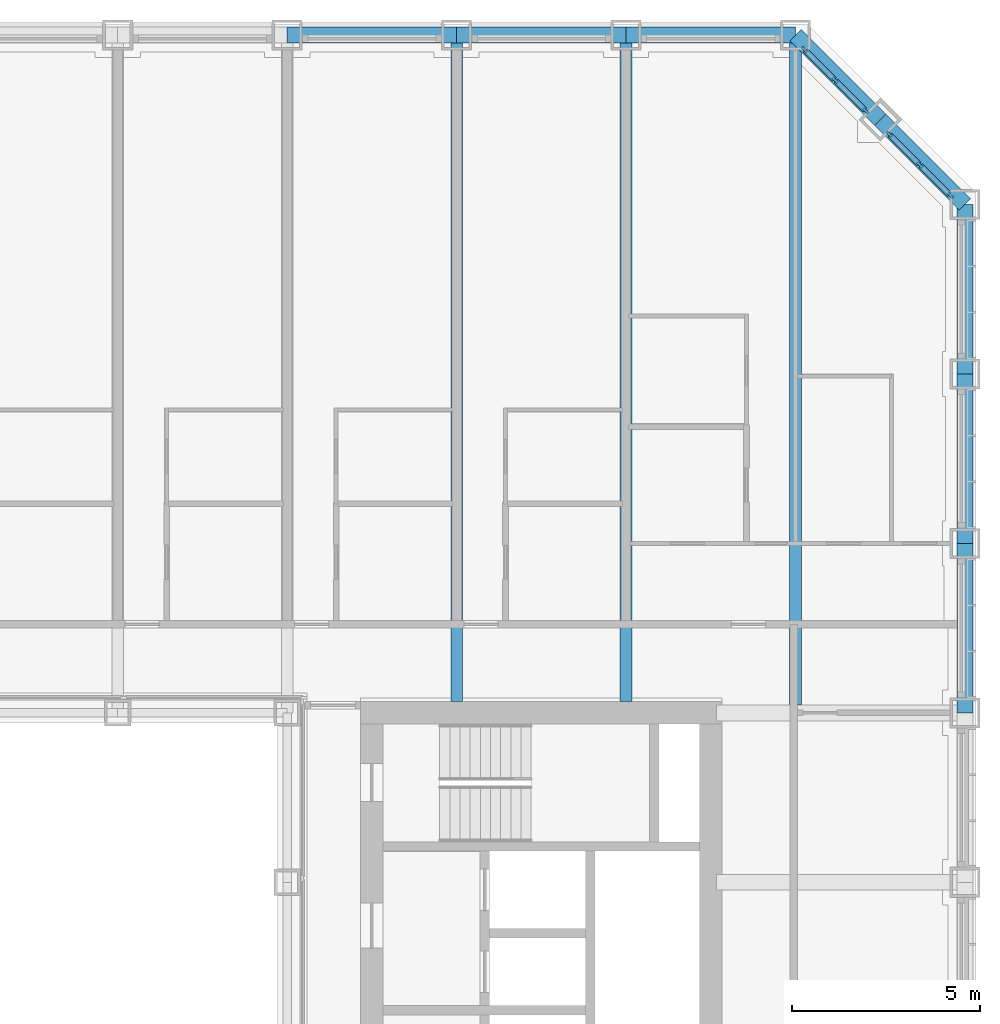
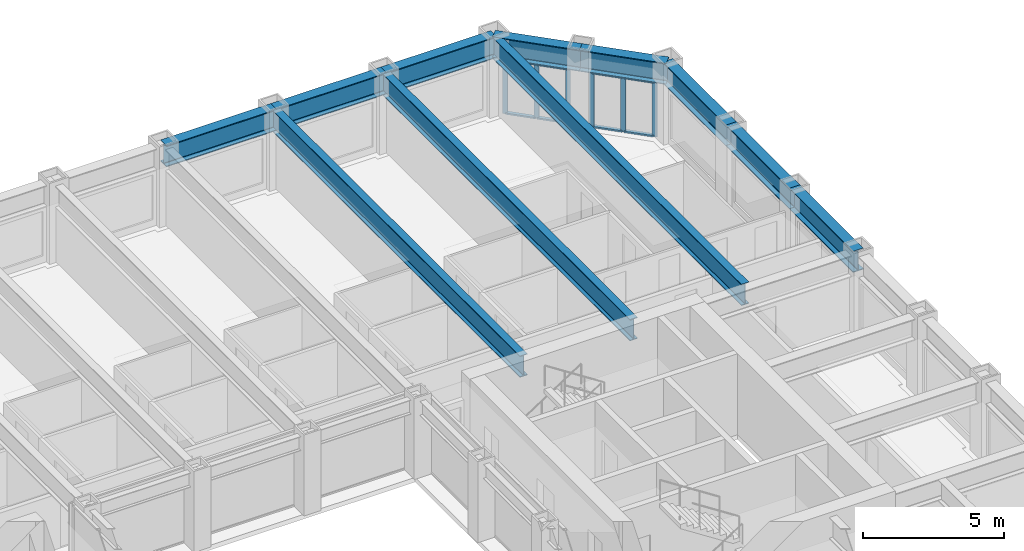
# One storey, part 7 of 21: 14 members, 11 beams, 2 elements without a shape of their own.
"""IFC4 building model written with IfcOpenShell, lengths in metres."""

import ifcopenshell
import ifcopenshell.guid

model = None  # the IFC model being written
_history = None  # IfcOwnerHistory: only IFC2X3 demands one
_inside = {}  # id of a spatial element -> (the spatial element, [elements in it])
_under = {}  # id of a project, library or spatial element -> (it, [spatial elements below it])
_declared = {}  # id of a project -> (the project, [libraries it declares])
_typed = {}  # id of a type object -> (the type object, [elements of that type])
_made_of = {}  # id of a material, layer set ... -> (it, [elements and type objects made of it])


def new_model(schema):
    """Start an empty IFC model of exactly this schema.

    Asked for "IFC4X3", IfcOpenShell would pick the latest addendum, in which some entities
    have other attributes; the version numbers below select the first issue.
    IFC2X3 requires an IfcOwnerHistory on every rooted entity: one is made here for all.
    """
    global model, _history
    if schema == "IFC4X3":
        model = ifcopenshell.file(schema_version=(4, 3, 0, 0))
    else:
        model = ifcopenshell.file(schema=schema)
    _inside.clear()
    _under.clear()
    _declared.clear()
    _typed.clear()
    _made_of.clear()
    _history = None
    if model.schema == "IFC2X3":
        org = make("IfcOrganization", Name="unknown")
        user = make(
            "IfcPersonAndOrganization",
            ThePerson=make("IfcPerson", FamilyName="unknown"),
            TheOrganization=org,
        )
        app = make(
            "IfcApplication",
            ApplicationDeveloper=org,
            Version="unknown",
            ApplicationFullName="unknown",
            ApplicationIdentifier="unknown",
        )
        _history = make(
            "IfcOwnerHistory",
            OwningUser=user,
            OwningApplication=app,
            ChangeAction="ADDED",
            CreationDate=0,
        )
    return model


def make(cls, **values):
    """One entity of the class cls with the attributes given. An attribute that is None is left unset."""
    return model.create_entity(
        cls, **{name: value for name, value in values.items() if value is not None}
    )


def rooted(cls, **values):
    """An entity with a GlobalId (a new one), such as an element, a storey or a relation."""
    return make(cls, GlobalId=ifcopenshell.guid.new(), OwnerHistory=_history, **values)


def si_unit(unit_type, name, prefix=None):
    """IfcSIUnit, for example si_unit("LENGTHUNIT", "METRE", prefix="MILLI")."""
    return make("IfcSIUnit", UnitType=unit_type, Prefix=prefix, Name=name)


def assignment(units):
    """IfcUnitAssignment: the units of a project."""
    return None if units is None else make("IfcUnitAssignment", Units=units)


def point(xyz):
    """IfcCartesianPoint."""
    return None if xyz is None else make("IfcCartesianPoint", Coordinates=xyz)


def direction(xyz):
    """IfcDirection."""
    return None if xyz is None else make("IfcDirection", DirectionRatios=xyz)


def frame(location, z_axis=None, x_axis=None):
    """IfcAxis2Placement3D, a coordinate frame: its origin and axes. An axis left out is left unset."""
    return make(
        "IfcAxis2Placement3D",
        Location=point(location),
        Axis=direction(z_axis),
        RefDirection=direction(x_axis),
    )


def frame_2d(location, x_axis=None):
    """IfcAxis2Placement2D, a coordinate frame in the plane: its origin and x axis."""
    return make(
        "IfcAxis2Placement2D", Location=point(location), RefDirection=direction(x_axis)
    )


def origin():
    """The frame at (0, 0, 0) with its axes left unset."""
    return frame((0.0, 0.0, 0.0))


def origin_2d():
    """The frame at (0, 0) in the plane with its x axis left unset."""
    return frame_2d((0.0, 0.0))


def place(relative_to, where):
    """IfcLocalPlacement: puts the frame where relative to a parent placement (None: the world)."""
    return make(
        "IfcLocalPlacement", PlacementRelTo=relative_to, RelativePlacement=where
    )


def context(
    kind, dimensions, precision=None, world=None, true_north=None, identifier=None
):
    """IfcGeometricRepresentationContext, for example the 3D "Model" context."""
    return make(
        "IfcGeometricRepresentationContext",
        ContextIdentifier=identifier,
        ContextType=kind,
        CoordinateSpaceDimension=dimensions,
        Precision=precision,
        WorldCoordinateSystem=world,
        TrueNorth=true_north,
    )


def subcontext(parent, identifier, kind, view, scale=None):
    """IfcGeometricRepresentationSubContext, for example "Body" below "Model"."""
    return make(
        "IfcGeometricRepresentationSubContext",
        ContextIdentifier=identifier,
        ContextType=kind,
        ParentContext=parent,
        TargetScale=scale,
        TargetView=view,
    )


def project(units=None, contexts=None):
    """IfcProject with its units and contexts."""
    return rooted(
        "IfcProject",
        Name="project",
        RepresentationContexts=contexts,
        UnitsInContext=assignment(units),
    )


def spatial(cls, under=None, at=None, **own):
    """A site, building, storey or space (cls), placed at a placement, below another one or the project."""
    s = rooted(cls, ObjectPlacement=at, **own)
    if under is not None:
        _under.setdefault(under.id(), (under, []))[1].append(s)
    return s


def profile(cls, at=None, kind="AREA", **sizes):
    """A parametric profile (cls). Its sizes go by their IFC names, for example OverallWidth=200.0."""
    return make(cls, ProfileType=kind, Position=at, **sizes)


def rectangle(**sizes):
    """IfcRectangleProfileDef."""
    return profile("IfcRectangleProfileDef", **sizes)


def i_section(**sizes):
    """IfcIShapeProfileDef."""
    return profile("IfcIShapeProfileDef", **sizes)


def extrude(swept, where, along, depth):
    """IfcExtrudedAreaSolid: the profile swept, set in the frame where, extruded along a direction by depth."""
    return make(
        "IfcExtrudedAreaSolid",
        SweptArea=swept,
        Position=where,
        ExtrudedDirection=direction(along),
        Depth=depth,
    )


def shape(context_of_items, identifier, shape_type, items):
    """IfcShapeRepresentation: the items that make up one representation, for example the "Body"."""
    return make(
        "IfcShapeRepresentation",
        ContextOfItems=context_of_items,
        RepresentationIdentifier=identifier,
        RepresentationType=shape_type,
        Items=items,
    )


def material(Name=None, Category=None):
    """IfcMaterial."""
    return make("IfcMaterial", Name=Name, Category=Category)


def material_profile(
    of_material, cross_section, Name=None, Category=None, Priority=None
):
    """IfcMaterialProfile: a cross section and its material."""
    return make(
        "IfcMaterialProfile",
        Name=Name,
        Material=of_material,
        Profile=cross_section,
        Priority=Priority,
        Category=Category,
    )


def profile_set(profiles, Name=None, composite=None):
    """IfcMaterialProfileSet."""
    return make(
        "IfcMaterialProfileSet",
        Name=Name,
        MaterialProfiles=profiles,
        CompositeProfile=composite,
    )


def made_of(thing, what):
    """Note that an element or type object is made of a material, layer set ...; save() writes the relation."""
    if what is not None:
        _made_of.setdefault(what.id(), (what, []))[1].append(thing)
    return thing


def type_object(cls, material=None, **own):
    """A type object (cls), such as IfcWallType, which elements share."""
    return made_of(rooted(cls, **own), material)


def element(
    cls,
    number,
    at=None,
    inside=None,
    cuts=None,
    type_object=None,
    material=None,
    context=None,
    identifier="Body",
    shape_type=None,
    held_by="IfcProductDefinitionShape",
    body=None,
    shapes=None,
    **own,
):
    """One element of the class cls, such as IfcWall. Its Tag is "e" and its number.

    at: its placement. inside: the storey or other place that contains it. cuts: it is an
    opening in that element (IfcRelVoidsElement). A single representation is given by context,
    identifier, shape_type and body (its items); several are given by shapes. held_by: the class
    of the entity that holds the representations. save() writes the other relations.
    """
    e = rooted(cls, Tag="e%d" % number, ObjectPlacement=at, **own)
    if body is not None:
        shapes = [shape(context, identifier, shape_type, body)]
    if shapes is not None:
        e.Representation = make(held_by, Representations=shapes)
    if inside is not None:
        _inside.setdefault(inside.id(), (inside, []))[1].append(e)
    if cuts is not None:
        rooted(
            "IfcRelVoidsElement", RelatingBuildingElement=cuts, RelatedOpeningElement=e
        )
    if type_object is not None:
        _typed.setdefault(type_object.id(), (type_object, []))[1].append(e)
    return made_of(e, material)


def aggregate(whole, parts):
    """IfcRelAggregates: a whole, such as a stair, and the parts it consists of."""
    return rooted("IfcRelAggregates", RelatingObject=whole, RelatedObjects=parts)


def save(model, path):
    """Write the relations noted so far, then the file.

    IfcRelAggregates (storeys below a building ...), IfcRelContainedInSpatialStructure (elements
    in a storey), IfcRelDefinesByType, IfcRelAssociatesMaterial and IfcRelDeclares: one each for
    every whole, place, type object, material and project.
    """
    for whole, parts in _under.values():
        aggregate(whole, parts)
    for where, things in _inside.values():
        rooted(
            "IfcRelContainedInSpatialStructure",
            RelatedElements=things,
            RelatingStructure=where,
        )
    for kind, things in _typed.values():
        rooted("IfcRelDefinesByType", RelatedObjects=things, RelatingType=kind)
    for what, things in _made_of.values():
        rooted("IfcRelAssociatesMaterial", RelatedObjects=things, RelatingMaterial=what)
    for by, libraries in _declared.values():
        rooted("IfcRelDeclares", RelatingContext=by, RelatedDefinitions=libraries)
    model.write(path)


model = new_model("IFC4")

# Units and contexts
model_context = context("Model", 3, precision=1e-05, world=origin(), true_north=direction((0.0, 1.0)))
body_context = subcontext(model_context, "Body", "Model", "MODEL_VIEW")
ifc_project = project(units=[si_unit("LENGTHUNIT", "METRE"), si_unit("AREAUNIT", "SQUARE_METRE"), si_unit("VOLUMEUNIT", "CUBIC_METRE"), si_unit("PLANEANGLEUNIT", "RADIAN"), si_unit("MASSUNIT", "GRAM", prefix="KILO")], contexts=[model_context])

# Site, building, storey
site_placement = place(None, origin())
site = spatial("IfcSite", under=ifc_project, at=site_placement, CompositionType="ELEMENT")
building_placement = place(site_placement, origin())
building = spatial("IfcBuilding", under=site, at=building_placement, Name="Msasa Ring Tower", CompositionType="ELEMENT")
storey_placement = place(building_placement, frame((0.0, 0.0, 33.5)))
storey = spatial("IfcBuildingStorey", under=building, at=storey_placement, Name="L07", CompositionType="ELEMENT", Elevation=33.5)

# Curtain wall, members
ifc_material_1 = material(Name="Aluminium curtain wall with clear glass", Category="aluminium")
curtain_wall_type = type_object("IfcCurtainWallType", Name="CW-C CHAMFER CORNER CURTAIN WALL", PredefinedType="NOTDEFINED", material=ifc_material_1)
curtain_wall_1_placement = place(storey_placement, origin())
curtain_wall_1 = element("IfcCurtainWall", 1, at=curtain_wall_1_placement, inside=storey, type_object=curtain_wall_type, Name="Chamfer corner curtain wall NE L07", PredefinedType="NOTDEFINED")
ifc_material_2 = material(Name="Aluminium mullion", Category="aluminium")
ifc_material_profile_1 = material_profile(ifc_material_2, rectangle(XDim=0.06494140625, YDim=0.179931640625, at=origin_2d()), Name="AL 65x180")
ifc_profile_set_1 = profile_set([ifc_material_profile_1], Name="Aluminium mullion")
member_type_1 = type_object("IfcMemberType", Name="CW-C MULLION 65x180", PredefinedType="MULLION", material=ifc_profile_set_1)
member_1_placement = place(storey_placement, frame((22.119873046875, 22.73876953125, 0.0), z_axis=(0.0, 0.0, 1.0), x_axis=(-0.707106781187, -0.707106781187, 0.0)))
member_1 = element("IfcMember", 2, at=member_1_placement, type_object=member_type_1, Name="CW-C mullion 1", PredefinedType="MULLION", context=body_context, shape_type="SweptSolid", body=[
    extrude(rectangle(XDim=0.06494140625, YDim=0.179931640625, at=origin_2d()), origin(), (0.0, 0.0, 1.0), 2.37890625),
])
member_2_placement = place(storey_placement, frame((21.30419921875, 23.55419921875, 0.0), z_axis=(0.0, 0.0, 1.0), x_axis=(-0.707106781187, -0.707106781187, 0.0)))
member_2 = element("IfcMember", 3, at=member_2_placement, type_object=member_type_1, Name="CW-C mullion 2", PredefinedType="MULLION", context=body_context, shape_type="SweptSolid", body=[
    extrude(rectangle(XDim=0.06494140625, YDim=0.179931640625, at=origin_2d()), origin(), (0.0, 0.0, 1.0), 2.37890625),
])
member_3_placement = place(storey_placement, frame((20.48876953125, 24.369873046875, 0.0), z_axis=(0.0, 0.0, 1.0), x_axis=(-0.707106781187, -0.707106781187, 0.0)))
member_3 = element("IfcMember", 4, at=member_3_placement, type_object=member_type_1, Name="CW-C mullion 3", PredefinedType="MULLION", context=body_context, shape_type="SweptSolid", body=[
    extrude(rectangle(XDim=0.06494140625, YDim=0.179931640625, at=origin_2d()), origin(), (0.0, 0.0, 1.0), 2.37890625),
])

curtain_wall_2_placement = place(storey_placement, origin())
curtain_wall_2 = element("IfcCurtainWall", 5, at=curtain_wall_2_placement, inside=storey, type_object=curtain_wall_type, Name="Chamfer corner curtain wall NE L07", PredefinedType="NOTDEFINED")
member_4_placement = place(storey_placement, frame((24.369873046875, 20.48876953125, 0.0), z_axis=(0.0, 0.0, 1.0), x_axis=(-0.707106781187, -0.707106781187, 0.0)))
member_4 = element("IfcMember", 6, at=member_4_placement, type_object=member_type_1, Name="CW-C mullion 1", PredefinedType="MULLION", context=body_context, shape_type="SweptSolid", body=[
    extrude(rectangle(XDim=0.06494140625, YDim=0.179931640625, at=origin_2d()), origin(), (0.0, 0.0, 1.0), 2.37890625),
])
member_5_placement = place(storey_placement, frame((23.55419921875, 21.30419921875, 0.0), z_axis=(0.0, 0.0, 1.0), x_axis=(-0.707106781187, -0.707106781187, 0.0)))
member_5 = element("IfcMember", 7, at=member_5_placement, type_object=member_type_1, Name="CW-C mullion 2", PredefinedType="MULLION", context=body_context, shape_type="SweptSolid", body=[
    extrude(rectangle(XDim=0.06494140625, YDim=0.179931640625, at=origin_2d()), origin(), (0.0, 0.0, 1.0), 2.37890625),
])
member_6_placement = place(storey_placement, frame((22.73876953125, 22.119873046875, 0.0), z_axis=(0.0, 0.0, 1.0), x_axis=(-0.707106781187, -0.707106781187, 0.0)))
member_6 = element("IfcMember", 8, at=member_6_placement, type_object=member_type_1, Name="CW-C mullion 3", PredefinedType="MULLION", context=body_context, shape_type="SweptSolid", body=[
    extrude(rectangle(XDim=0.06494140625, YDim=0.179931640625, at=origin_2d()), origin(), (0.0, 0.0, 1.0), 2.37890625),
])

# Member
ifc_material_3 = material(Name="Aluminium transom", Category="aluminium")
ifc_material_profile_2 = material_profile(ifc_material_3, rectangle(XDim=0.139892578125, YDim=0.06494140625, at=origin_2d()), Name="AL 65x140")
ifc_profile_set_2 = profile_set([ifc_material_profile_2], Name="Aluminium transom")
member_type_2 = type_object("IfcMemberType", Name="CW-C TRANSOM 65x140", PredefinedType="USERDEFINED", material=ifc_profile_set_2)
member_7_placement = place(storey_placement, frame((22.096923828125, 22.76171875, 0.032470703125), z_axis=(-0.707106781187, 0.707106781187, 0.0), x_axis=(-0.707106781187, -0.707106781187, 0.0)))
member_7 = element("IfcMember", 9, at=member_7_placement, type_object=member_type_2, Name="CW-C transom 1.1", ObjectType="TRANSOM", PredefinedType="USERDEFINED", context=body_context, shape_type="SweptSolid", body=[
    extrude(rectangle(XDim=0.139892578125, YDim=0.06494140625, at=origin_2d()), origin(), (0.0, 0.0, 1.0), 1.08837890625),
])

member_8_placement = place(storey_placement, frame((22.096923828125, 22.76171875, 2.346435546875), z_axis=(-0.707106781187, 0.707106781187, 0.0), x_axis=(-0.707106781187, -0.707106781187, 0.0)))
member_8 = element("IfcMember", 10, at=member_8_placement, type_object=member_type_2, Name="CW-C transom 1.2", ObjectType="TRANSOM", PredefinedType="USERDEFINED", context=body_context, shape_type="SweptSolid", body=[
    extrude(rectangle(XDim=0.139892578125, YDim=0.06494140625, at=origin_2d()), origin(), (0.0, 0.0, 1.0), 1.08837890625),
])

member_9_placement = place(storey_placement, frame((21.28125, 23.577392578125, 0.032470703125), z_axis=(-0.707106781187, 0.707106781187, 0.0), x_axis=(-0.707106781187, -0.707106781187, 0.0)))
member_9 = element("IfcMember", 11, at=member_9_placement, type_object=member_type_2, Name="CW-C transom 2.1", ObjectType="TRANSOM", PredefinedType="USERDEFINED", context=body_context, shape_type="SweptSolid", body=[
    extrude(rectangle(XDim=0.139892578125, YDim=0.06494140625, at=origin_2d()), origin(), (0.0, 0.0, 1.0), 1.08837890625),
])

member_10_placement = place(storey_placement, frame((21.28125, 23.577392578125, 2.346435546875), z_axis=(-0.707106781187, 0.707106781187, 0.0), x_axis=(-0.707106781187, -0.707106781187, 0.0)))
member_10 = element("IfcMember", 12, at=member_10_placement, type_object=member_type_2, Name="CW-C transom 2.2", ObjectType="TRANSOM", PredefinedType="USERDEFINED", context=body_context, shape_type="SweptSolid", body=[
    extrude(rectangle(XDim=0.139892578125, YDim=0.06494140625, at=origin_2d()), origin(), (0.0, 0.0, 1.0), 1.08837890625),
])

aggregate(curtain_wall_1, [member_1, member_2, member_3, member_7, member_8, member_9, member_10])

member_11_placement = place(storey_placement, frame((24.346923828125, 20.51171875, 0.032470703125), z_axis=(-0.707106781187, 0.707106781187, 0.0), x_axis=(-0.707106781187, -0.707106781187, 0.0)))
member_11 = element("IfcMember", 13, at=member_11_placement, type_object=member_type_2, Name="CW-C transom 1.1", ObjectType="TRANSOM", PredefinedType="USERDEFINED", context=body_context, shape_type="SweptSolid", body=[
    extrude(rectangle(XDim=0.139892578125, YDim=0.06494140625, at=origin_2d()), origin(), (0.0, 0.0, 1.0), 1.08837890625),
])

member_12_placement = place(storey_placement, frame((24.346923828125, 20.51171875, 2.346435546875), z_axis=(-0.707106781187, 0.707106781187, 0.0), x_axis=(-0.707106781187, -0.707106781187, 0.0)))
member_12 = element("IfcMember", 14, at=member_12_placement, type_object=member_type_2, Name="CW-C transom 1.2", ObjectType="TRANSOM", PredefinedType="USERDEFINED", context=body_context, shape_type="SweptSolid", body=[
    extrude(rectangle(XDim=0.139892578125, YDim=0.06494140625, at=origin_2d()), origin(), (0.0, 0.0, 1.0), 1.08837890625),
])

member_13_placement = place(storey_placement, frame((23.53125, 21.327392578125, 0.032470703125), z_axis=(-0.707106781187, 0.707106781187, 0.0), x_axis=(-0.707106781187, -0.707106781187, 0.0)))
member_13 = element("IfcMember", 15, at=member_13_placement, type_object=member_type_2, Name="CW-C transom 2.1", ObjectType="TRANSOM", PredefinedType="USERDEFINED", context=body_context, shape_type="SweptSolid", body=[
    extrude(rectangle(XDim=0.139892578125, YDim=0.06494140625, at=origin_2d()), origin(), (0.0, 0.0, 1.0), 1.08837890625),
])

member_14_placement = place(storey_placement, frame((23.53125, 21.327392578125, 2.346435546875), z_axis=(-0.707106781187, 0.707106781187, 0.0), x_axis=(-0.707106781187, -0.707106781187, 0.0)))
member_14 = element("IfcMember", 16, at=member_14_placement, type_object=member_type_2, Name="CW-C transom 2.2", ObjectType="TRANSOM", PredefinedType="USERDEFINED", context=body_context, shape_type="SweptSolid", body=[
    extrude(rectangle(XDim=0.139892578125, YDim=0.06494140625, at=origin_2d()), origin(), (0.0, 0.0, 1.0), 1.08837890625),
])

aggregate(curtain_wall_2, [member_4, member_5, member_6, member_11, member_12, member_13, member_14])

# Beams
ifc_material_4 = material(Name="Steel S355", Category="steel")
ifc_material_profile_3 = material_profile(ifc_material_4, i_section(OverallWidth=0.3076171875, OverallDepth=0.926513671875, WebThickness=0.01953125, FlangeThickness=0.031982421875, FilletRadius=0.01904296875, at=origin_2d()), Name="UB 914x305x289")
ifc_profile_set_3 = profile_set([ifc_material_profile_3], Name="Steel S355")
beam_type_1 = type_object("IfcBeamType", Name="FB3 UB 914x305x289", PredefinedType="BEAM", material=ifc_profile_set_3)
for number, where, z_axis, x_axis, name in (
    (17, (11.25, 24.75, 2.836669921875), (0.0, -1.0, 0.0), (1.0, 0.0, 0.0), "Floor beam N+11.25 under L08"),
    (18, (15.75, 24.75, 2.836669921875), (0.0, -1.0, 0.0), (1.0, 0.0, 0.0), "Floor beam N+15.75 under L08"),
):
    element("IfcBeam", number, at=place(storey_placement, frame(where, z_axis=z_axis, x_axis=x_axis)), inside=storey, type_object=beam_type_1, Name=name, PredefinedType="BEAM", context=body_context, shape_type="SweptSolid", body=[
        extrude(i_section(OverallWidth=0.3076171875, OverallDepth=0.926513671875, WebThickness=0.01953125, FlangeThickness=0.031982421875, FilletRadius=0.01904296875, at=origin_2d()), origin(), (0.0, 0.0, 1.0), 17.699951171875),
    ])
beam_placement = place(storey_placement, frame((20.25, 24.75, 2.836669921875), z_axis=(0.0, -1.0, 0.0), x_axis=(1.0, 0.0, 0.0)))
element("IfcBeam", 19, at=beam_placement, inside=storey, type_object=beam_type_1, Name="Floor beam N+20.25 under L08", PredefinedType="BEAM", context=body_context, shape_type="SweptSolid", body=[
    extrude(i_section(OverallWidth=0.3076171875, OverallDepth=0.926513671875, WebThickness=0.01953125, FlangeThickness=0.031982421875, FilletRadius=0.01904296875, at=origin_2d()), origin(), (0.0, 0.0, 1.0), 17.789794921875),
])
ifc_material_5 = material(Name="Steel S355", Category="steel")
ifc_material_profile_4 = material_profile(ifc_material_5, i_section(OverallWidth=0.42041015625, OverallDepth=0.9208984375, WebThickness=0.021484375, FlangeThickness=0.03662109375, FilletRadius=0.024169921875, at=origin_2d()), Name="UB 914x419x388")
ifc_profile_set_4 = profile_set([ifc_material_profile_4], Name="Steel S355")
beam_type_2 = type_object("IfcBeamType", Name="SB1 UB 914x419x388", PredefinedType="SPANDREL", material=ifc_profile_set_4)
for number, where, z_axis, x_axis, name in (
    (20, (24.75, 6.75, 2.839599609375), (0.0, 1.0, 0.0), (-1.0, 0.0, 0.0), "Spandrel E+6.75 to E+11.25 under L08"),
    (21, (24.75, 11.25, 2.839599609375), (0.0, 1.0, 0.0), (-1.0, 0.0, 0.0), "Spandrel E+11.25 to E+15.75 under L08"),
    (22, (24.75, 15.75, 2.839599609375), (0.0, 1.0, 0.0), (-1.0, 0.0, 0.0), "Spandrel E+15.75 to E+20.25 under L08"),
):
    element("IfcBeam", number, at=place(storey_placement, frame(where, z_axis=z_axis, x_axis=x_axis)), inside=storey, type_object=beam_type_2, Name=name, PredefinedType="SPANDREL", context=body_context, shape_type="SweptSolid", body=[
        extrude(i_section(OverallWidth=0.42041015625, OverallDepth=0.9208984375, WebThickness=0.021484375, FlangeThickness=0.03662109375, FilletRadius=0.024169921875, at=origin_2d()), origin(), (0.0, 0.0, 1.0), 4.5),
    ])
for number, where, z_axis, x_axis, name in (
    (23, (24.75, 20.25, 2.839599609375), (-0.707106781187, 0.707106781187, 0.0), (-0.707106781187, -0.707106781187, 0.0), "Spandrel E+20.25 to NE under L08"),
    (24, (22.5, 22.5, 2.839599609375), (-0.707106781187, 0.707106781187, 0.0), (-0.707106781187, -0.707106781187, 0.0), "Spandrel NE to N+20.25 under L08"),
):
    element("IfcBeam", number, at=place(storey_placement, frame(where, z_axis=z_axis, x_axis=x_axis)), inside=storey, type_object=beam_type_2, Name=name, PredefinedType="SPANDREL", context=body_context, shape_type="SweptSolid", body=[
        extrude(i_section(OverallWidth=0.42041015625, OverallDepth=0.9208984375, WebThickness=0.021484375, FlangeThickness=0.03662109375, FilletRadius=0.024169921875, at=origin_2d()), origin(), (0.0, 0.0, 1.0), 3.181884765625),
    ])
for number, where, z_axis, x_axis, name in (
    (25, (20.25, 24.75, 2.839599609375), (-1.0, 0.0, 0.0), (0.0, -1.0, 0.0), "Spandrel N+20.25 to N+15.75 under L08"),
    (26, (15.75, 24.75, 2.839599609375), (-1.0, 0.0, 0.0), (0.0, -1.0, 0.0), "Spandrel N+15.75 to N+11.25 under L08"),
    (27, (11.25, 24.75, 2.839599609375), (-1.0, 0.0, 0.0), (0.0, -1.0, 0.0), "Spandrel N+11.25 to N+6.75 under L08"),
):
    element("IfcBeam", number, at=place(storey_placement, frame(where, z_axis=z_axis, x_axis=x_axis)), inside=storey, type_object=beam_type_2, Name=name, PredefinedType="SPANDREL", context=body_context, shape_type="SweptSolid", body=[
        extrude(i_section(OverallWidth=0.42041015625, OverallDepth=0.9208984375, WebThickness=0.021484375, FlangeThickness=0.03662109375, FilletRadius=0.024169921875, at=origin_2d()), origin(), (0.0, 0.0, 1.0), 4.5),
    ])

save(model, "model.ifc")
